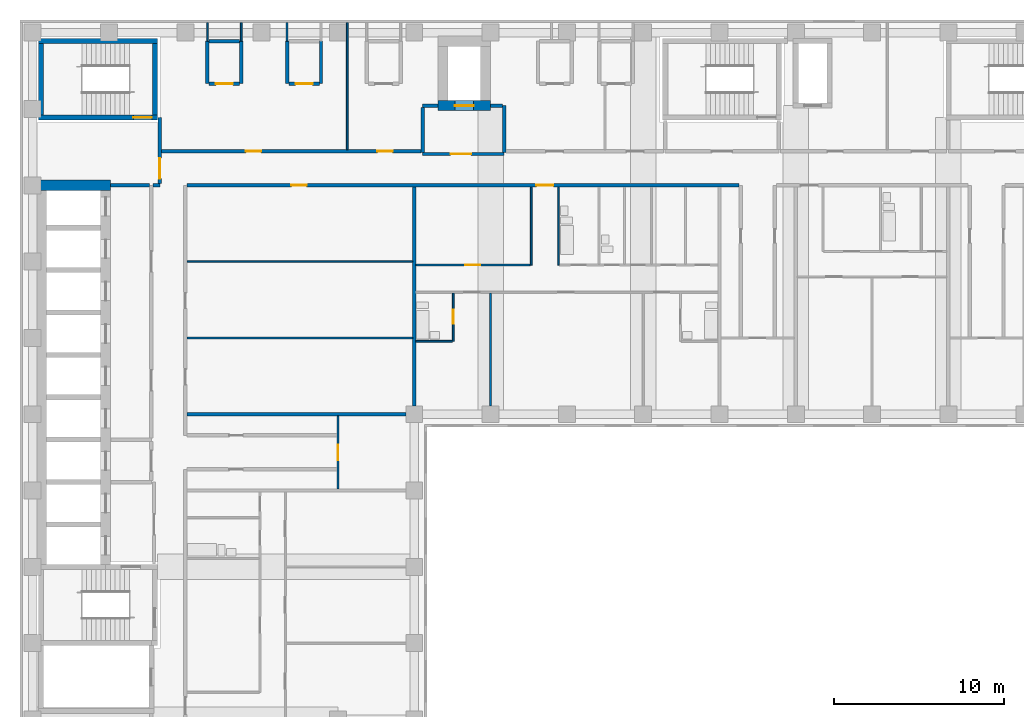
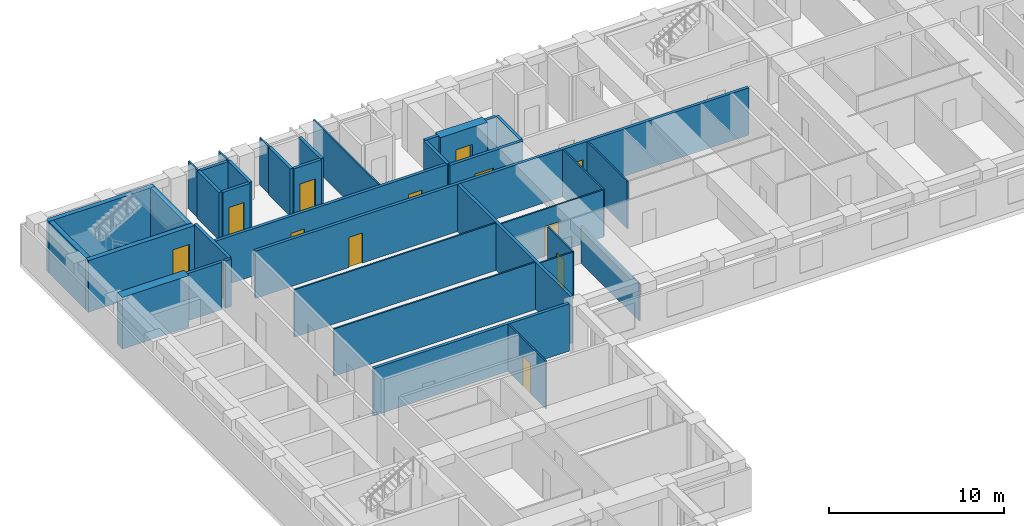
# One storey, part 5 of 12: 38 walls, 13 doors, 13 openings.
"""IFC4 building model written with IfcOpenShell, lengths in metres."""

from ifc_helpers import new_model, si_unit, direction, frame, frame_2d, origin, place, context, subcontext, project, spatial, rectangle, extrude, material, layer, layer_set, type_object, element, fill, save


model = new_model("IFC4")

# Units and contexts
model_context = context("Model", 3, precision=1e-05, world=origin(), true_north=direction((0.0, 1.0)))
body_context = subcontext(model_context, "Body", "Model", "MODEL_VIEW")
ifc_project = project(units=[si_unit("LENGTHUNIT", "METRE"), si_unit("AREAUNIT", "SQUARE_METRE"), si_unit("VOLUMEUNIT", "CUBIC_METRE"), si_unit("PLANEANGLEUNIT", "RADIAN"), si_unit("MASSUNIT", "GRAM", prefix="KILO")], contexts=[model_context])

# Site, building, storey
site_placement = place(None, origin())
site = spatial("IfcSite", under=ifc_project, at=site_placement, CompositionType="ELEMENT")
building_placement = place(site_placement, origin())
building = spatial("IfcBuilding", under=site, at=building_placement, Name="Firuza Court", CompositionType="ELEMENT")
storey_placement = place(building_placement, frame((0.0, 0.0, 166.39990234375)))
storey = spatial("IfcBuildingStorey", under=building, at=storey_placement, Name="L42", CompositionType="ELEMENT", Elevation=166.39990234375)

# Wall
ifc_material_1 = material(Name="Moisture-resistant gypsum board partition")
ifc_layer_1 = layer(ifc_material_1, 0.10009765625)
ifc_layer_set_1 = layer_set([ifc_layer_1], Name="Moisture-resistant gypsum board partition")
wall_type_1 = type_object("IfcWallType", Name="Bathroom partition 100", PredefinedType="PLUMBINGWALL", material=ifc_layer_set_1)
wall_1_placement = place(storey_placement, frame((22.60009765625, 40.300048828125, 0.0), z_axis=(0.0, 0.0, 1.0), x_axis=(1.0, 0.0, 0.0)))
element("IfcWall", 1, at=wall_1_placement, inside=storey, type_object=wall_type_1, Name="Bathroom partition 100 L42", PredefinedType="PLUMBINGWALL", context=body_context, shape_type="SweptSolid", body=[
    extrude(rectangle(XDim=2.14990234375, YDim=0.10009765625, at=frame_2d((1.074951171875, 0.0))), origin(), (0.0, 0.0, 1.0), 3.300048828125),
])

# Wall, opening, door
wall_2_placement = place(storey_placement, frame((24.800048828125, 40.300048828125, 0.0), z_axis=(0.0, 0.0, 1.0), x_axis=(0.0, 1.0, 0.0)))
wall_2 = element("IfcWall", 2, at=wall_2_placement, inside=storey, type_object=wall_type_1, Name="Bathroom partition 100 L42", PredefinedType="PLUMBINGWALL", context=body_context, shape_type="SweptSolid", body=[
    extrude(rectangle(XDim=2.849853515625, YDim=0.10009765625, at=frame_2d((1.4248046875, 0.0))), origin(), (0.0, 0.0, 1.0), 3.300048828125),
])
opening_1_placement = place(wall_2_placement, frame((1.050048828125, 0.0, 0.0)))
opening_1 = element("IfcOpeningElement", 3, at=opening_1_placement, cuts=wall_2, Name="Opening D42040", PredefinedType="OPENING", context=body_context, shape_type="SweptSolid", body=[
    extrude(rectangle(XDim=0.800048828125, YDim=2.10009765625, at=frame_2d((0.39990234375, 1.050048828125))), frame((0.0, 0.06201171875, 0.0), z_axis=(0.0, -1.0, 0.0), x_axis=(1.0, 0.0, 0.0)), (0.0, 0.0, 1.0), 0.1240234375),
])
ifc_material_2 = material(Name="Timber door leaf in hardwood frame", Category="wood")
door_type_1 = type_object("IfcDoorType", Name="Bathroom door 800", OperationType="SINGLE_SWING_LEFT", PredefinedType="DOOR", material=ifc_material_2)
door_1_placement = place(opening_1_placement, origin())
door_1 = element("IfcDoor", 4, at=door_1_placement, inside=storey, type_object=door_type_1, Name="En-suite door", OperationType="SINGLE_SWING_LEFT", OverallHeight=2.10009765625, OverallWidth=0.800048828125, PredefinedType="DOOR", context=body_context, shape_type="SweptSolid", body=[
    extrude(rectangle(XDim=0.800048828125, YDim=2.10009765625, at=frame_2d((0.39990234375, 1.050048828125))), frame((0.0, 0.02490234375, 0.0), z_axis=(0.0, -1.0, 0.0), x_axis=(1.0, 0.0, 0.0)), (0.0, 0.0, 1.0), 0.050048828125),
])
fill(opening_1, door_1)

# Wall
wall_3_placement = place(storey_placement, frame((31.0, 44.800048828125, 0.0), z_axis=(0.0, 0.0, 1.0), x_axis=(0.0, 1.0, 0.0)))
element("IfcWall", 5, at=wall_3_placement, inside=storey, type_object=wall_type_1, Name="Bathroom partition 100 L42", PredefinedType="PLUMBINGWALL", context=body_context, shape_type="SweptSolid", body=[
    extrude(rectangle(XDim=4.599853515625, YDim=0.10009765625, at=frame_2d((2.2998046875, 0.0))), origin(), (0.0, 0.0, 1.0), 3.300048828125),
])

# Wall, opening, door
ifc_material_3 = material(Name="Concrete C60/75", Category="concrete")
ifc_layer_2 = layer(ifc_material_3, 0.300048828125)
ifc_layer_set_2 = layer_set([ifc_layer_2], Name="Concrete C60/75")
wall_type_2 = type_object("IfcWallType", Name="Core wall 300 C60/75", PredefinedType="SHEAR", material=ifc_layer_set_2)
wall_4_placement = place(storey_placement, frame((0.35009765625, 53.5, -0.2998046875), z_axis=(0.0, 0.0, 1.0), x_axis=(1.0, 0.0, 0.0)))
wall_4 = element("IfcWall", 6, at=wall_4_placement, inside=storey, type_object=wall_type_2, Name="Core wall stair L42", PredefinedType="SHEAR", context=body_context, shape_type="SweptSolid", body=[
    extrude(rectangle(XDim=7.0, YDim=0.300048828125, at=frame_2d((3.5, 0.0))), origin(), (0.0, 0.0, 1.0), 3.599853515625),
])
opening_2_placement = place(wall_4_placement, frame((5.580078125, 0.0, 0.300048828125)))
opening_2 = element("IfcOpeningElement", 7, at=opening_2_placement, cuts=wall_4, Name="Opening D42015", PredefinedType="OPENING", context=body_context, shape_type="SweptSolid", body=[
    extrude(rectangle(XDim=1.10009765625, YDim=2.10009765625, at=frame_2d((0.550048828125, 1.050048828125))), frame((0.0, 0.162109375, 0.0), z_axis=(0.0, -1.0, 0.0), x_axis=(1.0, 0.0, 0.0)), (0.0, 0.0, 1.0), 0.323974609375),
])
ifc_material_4 = material(Name="Timber door leaf in hardwood frame", Category="wood")
door_type_2 = type_object("IfcDoorType", Name="Stair door 1100", OperationType="SINGLE_SWING_LEFT", PredefinedType="DOOR", material=ifc_material_4)
door_2_placement = place(opening_2_placement, origin())
door_2 = element("IfcDoor", 8, at=door_2_placement, inside=storey, type_object=door_type_2, Name="Stair door S3", OperationType="SINGLE_SWING_RIGHT", OverallHeight=2.10009765625, OverallWidth=1.10009765625, PredefinedType="DOOR", context=body_context, shape_type="SweptSolid", body=[
    extrude(rectangle(XDim=1.10009765625, YDim=2.10009765625, at=frame_2d((0.550048828125, 1.050048828125))), frame((0.0, 0.02490234375, 0.0), z_axis=(0.0, -1.0, 0.0), x_axis=(1.0, 0.0, 0.0)), (0.0, 0.0, 1.0), 0.050048828125),
])
fill(opening_2, door_2)

# Walls
wall_5_placement = place(storey_placement, frame((0.35009765625, 58.0, -0.2998046875), z_axis=(0.0, 0.0, 1.0), x_axis=(1.0, 0.0, 0.0)))
element("IfcWall", 9, at=wall_5_placement, inside=storey, type_object=wall_type_2, Name="Core wall stair L42", PredefinedType="SHEAR", context=body_context, shape_type="SweptSolid", body=[
    extrude(rectangle(XDim=7.0, YDim=0.300048828125, at=frame_2d((3.5, 0.0))), origin(), (0.0, 0.0, 1.0), 3.599853515625),
])
for number, where, z_axis, x_axis, name in (
    (10, (0.5, 53.64990234375, -0.2998046875), (0.0, 0.0, 1.0), (0.0, 1.0, 0.0), "Core wall stair L42"),
    (11, (7.199951171875, 53.64990234375, -0.2998046875), (0.0, 0.0, 1.0), (0.0, 1.0, 0.0), "Core wall stair L42"),
):
    element("IfcWall", number, at=place(storey_placement, frame(where, z_axis=z_axis, x_axis=x_axis)), inside=storey, type_object=wall_type_2, Name=name, PredefinedType="SHEAR", context=body_context, shape_type="SweptSolid", body=[
        extrude(rectangle(XDim=4.2001953125, YDim=0.300048828125, at=frame_2d((2.10009765625, 0.0))), origin(), (0.0, 0.0, 1.0), 3.599853515625),
    ])
ifc_layer_3 = layer(ifc_material_3, 0.60009765625)
ifc_layer_set_3 = layer_set([ifc_layer_3], Name="Concrete C60/75")
wall_type_3 = type_object("IfcWallType", Name="Core wall 600 C60/75", PredefinedType="SHEAR", material=ifc_layer_set_3)
wall_6_placement = place(storey_placement, frame((0.199951171875, 49.5, -0.2998046875), z_axis=(0.0, 0.0, 1.0), x_axis=(1.0, 0.0, 0.0)))
element("IfcWall", 12, at=wall_6_placement, inside=storey, type_object=wall_type_3, Name="Core wall lift shaft L42", PredefinedType="SHEAR", context=body_context, shape_type="SweptSolid", body=[
    extrude(rectangle(XDim=4.400146484375, YDim=0.60009765625, at=frame_2d((2.2001953125, 0.0))), origin(), (0.0, 0.0, 1.0), 3.599853515625),
])

# Wall, opening, door
wall_7_placement = place(storey_placement, frame((23.89990234375, 54.199951171875, -0.2998046875), z_axis=(0.0, 0.0, 1.0), x_axis=(1.0, 0.0, 0.0)))
wall_7 = element("IfcWall", 13, at=wall_7_placement, inside=storey, type_object=wall_type_3, Name="Core wall lift shaft L42", PredefinedType="SHEAR", context=body_context, shape_type="SweptSolid", body=[
    extrude(rectangle(XDim=3.10009765625, YDim=0.60009765625, at=frame_2d((1.550048828125, 0.0))), origin(), (0.0, 0.0, 1.0), 3.599853515625),
])
opening_3_placement = place(wall_7_placement, frame((1.0, 0.0, 0.300048828125)))
opening_3 = element("IfcOpeningElement", 14, at=opening_3_placement, cuts=wall_7, Name="Opening LD-FL3-42", PredefinedType="OPENING", context=body_context, shape_type="SweptSolid", body=[
    extrude(rectangle(XDim=1.10009765625, YDim=2.10009765625, at=frame_2d((0.550048828125, 1.050048828125))), frame((0.0, 0.31201171875, 0.0), z_axis=(0.0, -1.0, 0.0), x_axis=(1.0, 0.0, 0.0)), (0.0, 0.0, 1.0), 0.6240234375),
])
ifc_material_5 = material(Name="Stainless steel 1.4301 door leaf", Category="steel")
door_type_3 = type_object("IfcDoorType", Name="Lift landing door 1100", OperationType="SLIDING_TO_LEFT", PredefinedType="DOOR", material=ifc_material_5)
door_3_placement = place(opening_3_placement, origin())
door_3 = element("IfcDoor", 15, at=door_3_placement, inside=storey, type_object=door_type_3, Name="Landing door FL3", OperationType="SLIDING_TO_LEFT", OverallHeight=2.10009765625, OverallWidth=1.10009765625, PredefinedType="DOOR", context=body_context, shape_type="SweptSolid", body=[
    extrude(rectangle(XDim=1.10009765625, YDim=2.10009765625, at=frame_2d((0.550048828125, 1.050048828125))), frame((0.0, 0.02490234375, 0.0), z_axis=(0.0, -1.0, 0.0), x_axis=(1.0, 0.0, 0.0)), (0.0, 0.0, 1.0), 0.050048828125),
])
fill(opening_3, door_3)

# Wall, openings, doors
ifc_material_6 = material(Name="Blockwork, plastered both sides", Category="masonry")
ifc_layer_4 = layer(ifc_material_6, 0.199951171875)
ifc_layer_set_4 = layer_set([ifc_layer_4], Name="Blockwork, plastered both sides")
wall_type_4 = type_object("IfcWallType", Name="Corridor wall 200", PredefinedType="PARTITIONING", material=ifc_layer_set_4)
wall_8_placement = place(storey_placement, frame((9.10009765625, 49.5, 0.0), z_axis=(0.0, 0.0, 1.0), x_axis=(1.0, 0.0, 0.0)))
wall_8 = element("IfcWall", 16, at=wall_8_placement, inside=storey, type_object=wall_type_4, Name="Corridor wall 200 L42", PredefinedType="PARTITIONING", context=body_context, shape_type="SweptSolid", body=[
    extrude(rectangle(XDim=32.5498046875, YDim=0.199951171875, at=frame_2d((16.27490234375, 0.0))), origin(), (0.0, 0.0, 1.0), 3.300048828125),
])
opening_4_placement = place(wall_8_placement, frame((20.60009765625, 0.0, 0.0)))
opening_4 = element("IfcOpeningElement", 17, at=opening_4_placement, cuts=wall_8, Name="Opening D42067", PredefinedType="OPENING", context=body_context, shape_type="SweptSolid", body=[
    extrude(rectangle(XDim=1.0, YDim=2.10009765625, at=frame_2d((0.5, 1.050048828125))), frame((0.0, 0.11181640625, 0.0), z_axis=(0.0, -1.0, 0.0), x_axis=(1.0, 0.0, 0.0)), (0.0, 0.0, 1.0), 0.223876953125),
])
opening_5_placement = place(wall_8_placement, frame((6.14990234375, 0.0, 0.0)))
opening_5 = element("IfcOpeningElement", 18, at=opening_5_placement, cuts=wall_8, Name="Opening D42068", PredefinedType="OPENING", context=body_context, shape_type="SweptSolid", body=[
    extrude(rectangle(XDim=0.89990234375, YDim=2.10009765625, at=frame_2d((0.449951171875, 1.050048828125))), frame((0.0, 0.11181640625, 0.0), z_axis=(0.0, -1.0, 0.0), x_axis=(1.0, 0.0, 0.0)), (0.0, 0.0, 1.0), 0.223876953125),
])
ifc_material_7 = material(Name="Timber door leaf in hardwood frame", Category="wood")
door_type_4 = type_object("IfcDoorType", Name="Flat entrance door 1000", OperationType="SINGLE_SWING_LEFT", PredefinedType="DOOR", material=ifc_material_7)
door_4_placement = place(opening_4_placement, origin())
door_4 = element("IfcDoor", 19, at=door_4_placement, inside=storey, type_object=door_type_4, Name="Flat entrance door", OperationType="SINGLE_SWING_LEFT", OverallHeight=2.10009765625, OverallWidth=1.0, PredefinedType="DOOR", context=body_context, shape_type="SweptSolid", body=[
    extrude(rectangle(XDim=1.0, YDim=2.10009765625, at=frame_2d((0.5, 1.050048828125))), frame((0.0, 0.02490234375, 0.0), z_axis=(0.0, -1.0, 0.0), x_axis=(1.0, 0.0, 0.0)), (0.0, 0.0, 1.0), 0.050048828125),
])
fill(opening_4, door_4)
ifc_material_8 = material(Name="Timber door leaf in hardwood frame", Category="wood")
door_type_5 = type_object("IfcDoorType", Name="Room door 900 EI 30", OperationType="SINGLE_SWING_LEFT", PredefinedType="DOOR", material=ifc_material_8)
door_5_placement = place(opening_5_placement, frame((0.89990234375, 0.0, 0.0), z_axis=(0.0, 0.0, 1.0), x_axis=(-1.0, 0.0, 0.0)))
door_5 = element("IfcDoor", 20, at=door_5_placement, inside=storey, type_object=door_type_5, Name="Business room door", OperationType="SINGLE_SWING_RIGHT", OverallHeight=2.10009765625, OverallWidth=0.89990234375, PredefinedType="DOOR", context=body_context, shape_type="SweptSolid", body=[
    extrude(rectangle(XDim=0.89990234375, YDim=2.10009765625, at=frame_2d((0.449951171875, 1.050048828125))), frame((0.0, 0.02490234375, 0.0), z_axis=(0.0, -1.0, 0.0), x_axis=(1.0, 0.0, 0.0)), (0.0, 0.0, 1.0), 0.050048828125),
])
fill(opening_5, door_5)

wall_9_placement = place(storey_placement, frame((7.60009765625, 51.5, 0.0), z_axis=(0.0, 0.0, 1.0), x_axis=(1.0, 0.0, 0.0)))
wall_9 = element("IfcWall", 21, at=wall_9_placement, inside=storey, type_object=wall_type_4, Name="Corridor wall 200 L42", PredefinedType="PARTITIONING", context=body_context, shape_type="SweptSolid", body=[
    extrude(rectangle(XDim=15.2998046875, YDim=0.199951171875, at=frame_2d((7.64990234375, 0.0))), origin(), (0.0, 0.0, 1.0), 3.300048828125),
])
opening_6_placement = place(wall_9_placement, frame((4.97509765625, 0.0, 0.0)))
opening_6 = element("IfcOpeningElement", 22, at=opening_6_placement, cuts=wall_9, Name="Opening D42071", PredefinedType="OPENING", context=body_context, shape_type="SweptSolid", body=[
    extrude(rectangle(XDim=0.89990234375, YDim=2.10009765625, at=frame_2d((0.449951171875, 1.050048828125))), frame((0.0, 0.11181640625, 0.0), z_axis=(0.0, -1.0, 0.0), x_axis=(1.0, 0.0, 0.0)), (0.0, 0.0, 1.0), 0.223876953125),
])
opening_7_placement = place(wall_9_placement, frame((12.72509765625, 0.0, 0.0)))
opening_7 = element("IfcOpeningElement", 23, at=opening_7_placement, cuts=wall_9, Name="Opening D42072", PredefinedType="OPENING", context=body_context, shape_type="SweptSolid", body=[
    extrude(rectangle(XDim=0.89990234375, YDim=2.10009765625, at=frame_2d((0.449951171875, 1.050048828125))), frame((0.0, 0.11181640625, 0.0), z_axis=(0.0, -1.0, 0.0), x_axis=(1.0, 0.0, 0.0)), (0.0, 0.0, 1.0), 0.223876953125),
])
door_6_placement = place(opening_6_placement, origin())
door_6 = element("IfcDoor", 24, at=door_6_placement, inside=storey, type_object=door_type_5, Name="Residents' workroom door", OperationType="SINGLE_SWING_LEFT", OverallHeight=2.10009765625, OverallWidth=0.89990234375, PredefinedType="DOOR", context=body_context, shape_type="SweptSolid", body=[
    extrude(rectangle(XDim=0.89990234375, YDim=2.10009765625, at=frame_2d((0.449951171875, 1.050048828125))), frame((0.0, 0.02490234375, 0.0), z_axis=(0.0, -1.0, 0.0), x_axis=(1.0, 0.0, 0.0)), (0.0, 0.0, 1.0), 0.050048828125),
])
fill(opening_6, door_6)
door_7_placement = place(opening_7_placement, origin())
door_7 = element("IfcDoor", 25, at=door_7_placement, inside=storey, type_object=door_type_5, Name="Residents' workroom door", OperationType="SINGLE_SWING_LEFT", OverallHeight=2.10009765625, OverallWidth=0.89990234375, PredefinedType="DOOR", context=body_context, shape_type="SweptSolid", body=[
    extrude(rectangle(XDim=0.89990234375, YDim=2.10009765625, at=frame_2d((0.449951171875, 1.050048828125))), frame((0.0, 0.02490234375, 0.0), z_axis=(0.0, -1.0, 0.0), x_axis=(1.0, 0.0, 0.0)), (0.0, 0.0, 1.0), 0.050048828125),
])
fill(opening_7, door_7)

# Wall, opening, door
ifc_material_9 = material(Name="Timber stud partition, plasterboard both sides", Category="wood")
ifc_layer_5 = layer(ifc_material_9, 0.10009765625)
ifc_layer_set_5 = layer_set([ifc_layer_5], Name="Timber stud partition, plasterboard both sides")
wall_type_5 = type_object("IfcWallType", Name="Partition wall 100", PredefinedType="PARTITIONING", material=ifc_layer_set_5)
wall_10_placement = place(storey_placement, frame((18.0, 31.60009765625, 0.0), z_axis=(0.0, 0.0, 1.0), x_axis=(0.0, 1.0, 0.0)))
wall_10 = element("IfcWall", 26, at=wall_10_placement, inside=storey, type_object=wall_type_5, Name="Partition wall 100 L42", PredefinedType="PARTITIONING", context=body_context, shape_type="SweptSolid", body=[
    extrude(rectangle(XDim=4.2998046875, YDim=0.10009765625, at=frame_2d((2.14990234375, 0.0))), origin(), (0.0, 0.0, 1.0), 3.300048828125),
])
opening_8_placement = place(wall_10_placement, frame((1.699951171875, 0.0, 0.0)))
opening_8 = element("IfcOpeningElement", 27, at=opening_8_placement, cuts=wall_10, Name="Opening D42035", PredefinedType="OPENING", context=body_context, shape_type="SweptSolid", body=[
    extrude(rectangle(XDim=0.89990234375, YDim=2.10009765625, at=frame_2d((0.449951171875, 1.050048828125))), frame((0.0, 0.06201171875, 0.0), z_axis=(0.0, -1.0, 0.0), x_axis=(1.0, 0.0, 0.0)), (0.0, 0.0, 1.0), 0.1240234375),
])
ifc_material_10 = material(Name="Timber door leaf in hardwood frame", Category="wood")
door_type_6 = type_object("IfcDoorType", Name="Room door 900", OperationType="SINGLE_SWING_LEFT", PredefinedType="DOOR", material=ifc_material_10)
door_8_placement = place(opening_8_placement, origin())
door_8 = element("IfcDoor", 28, at=door_8_placement, inside=storey, type_object=door_type_6, Name="Residents' lounge door", OperationType="SINGLE_SWING_LEFT", OverallHeight=2.10009765625, OverallWidth=0.89990234375, PredefinedType="DOOR", context=body_context, shape_type="SweptSolid", body=[
    extrude(rectangle(XDim=0.89990234375, YDim=2.10009765625, at=frame_2d((0.449951171875, 1.050048828125))), frame((0.0, 0.02490234375, 0.0), z_axis=(0.0, -1.0, 0.0), x_axis=(1.0, 0.0, 0.0)), (0.0, 0.0, 1.0), 0.050048828125),
])
fill(opening_8, door_8)

# Walls
wall_11_placement = place(storey_placement, frame((27.0, 36.5, 0.0), z_axis=(0.0, 0.0, 1.0), x_axis=(0.0, 1.0, 0.0)))
element("IfcWall", 29, at=wall_11_placement, inside=storey, type_object=wall_type_5, Name="Partition wall 100 L42", PredefinedType="PARTITIONING", context=body_context, shape_type="SweptSolid", body=[
    extrude(rectangle(XDim=6.64990234375, YDim=0.10009765625, at=frame_2d((3.324951171875, 0.0))), origin(), (0.0, 0.0, 1.0), 2.60009765625),
])
wall_12_placement = place(storey_placement, frame((9.10009765625, 40.5, 0.0), z_axis=(0.0, 0.0, 1.0), x_axis=(1.0, 0.0, 0.0)))
element("IfcWall", 30, at=wall_12_placement, inside=storey, type_object=wall_type_5, Name="Partition wall 100 L42", PredefinedType="PARTITIONING", context=body_context, shape_type="SweptSolid", body=[
    extrude(rectangle(XDim=13.2998046875, YDim=0.10009765625, at=frame_2d((6.64990234375, 0.0))), origin(), (0.0, 0.0, 1.0), 3.300048828125),
])

# Wall, opening, door
wall_13_placement = place(storey_placement, frame((22.60009765625, 44.800048828125, 0.0), z_axis=(0.0, 0.0, 1.0), x_axis=(1.0, 0.0, 0.0)))
wall_13 = element("IfcWall", 31, at=wall_13_placement, inside=storey, type_object=wall_type_5, Name="Partition wall 100 L42", PredefinedType="PARTITIONING", context=body_context, shape_type="SweptSolid", body=[
    extrude(rectangle(XDim=6.75, YDim=0.10009765625, at=frame_2d((3.375, 0.0))), origin(), (0.0, 0.0, 1.0), 3.300048828125),
])
opening_9_placement = place(wall_13_placement, frame((2.89990234375, 0.0, 0.0)))
opening_9 = element("IfcOpeningElement", 32, at=opening_9_placement, cuts=wall_13, Name="Opening D42055", PredefinedType="OPENING", context=body_context, shape_type="SweptSolid", body=[
    extrude(rectangle(XDim=0.89990234375, YDim=2.10009765625, at=frame_2d((0.449951171875, 1.050048828125))), frame((0.0, 0.06201171875, 0.0), z_axis=(0.0, -1.0, 0.0), x_axis=(1.0, 0.0, 0.0)), (0.0, 0.0, 1.0), 0.1240234375),
])
door_9_placement = place(opening_9_placement, origin())
door_9 = element("IfcDoor", 33, at=door_9_placement, inside=storey, type_object=door_type_6, Name="Kitchen door", OperationType="SINGLE_SWING_LEFT", OverallHeight=2.10009765625, OverallWidth=0.89990234375, PredefinedType="DOOR", context=body_context, shape_type="SweptSolid", body=[
    extrude(rectangle(XDim=0.89990234375, YDim=2.10009765625, at=frame_2d((0.449951171875, 1.050048828125))), frame((0.0, 0.02490234375, 0.0), z_axis=(0.0, -1.0, 0.0), x_axis=(1.0, 0.0, 0.0)), (0.0, 0.0, 1.0), 0.050048828125),
])
fill(opening_9, door_9)

# Walls
wall_14_placement = place(storey_placement, frame((29.39990234375, 44.800048828125, 0.0), z_axis=(0.0, 0.0, 1.0), x_axis=(0.0, 1.0, 0.0)))
element("IfcWall", 34, at=wall_14_placement, inside=storey, type_object=wall_type_5, Name="Partition wall 100 L42", PredefinedType="PARTITIONING", context=body_context, shape_type="SweptSolid", body=[
    extrude(rectangle(XDim=4.599853515625, YDim=0.10009765625, at=frame_2d((2.2998046875, 0.0))), origin(), (0.0, 0.0, 1.0), 3.300048828125),
])
wall_15_placement = place(storey_placement, frame((9.10009765625, 45.0, 0.0), z_axis=(0.0, 0.0, 1.0), x_axis=(1.0, 0.0, 0.0)))
element("IfcWall", 35, at=wall_15_placement, inside=storey, type_object=wall_type_5, Name="Partition wall 100 L42", PredefinedType="PARTITIONING", context=body_context, shape_type="SweptSolid", body=[
    extrude(rectangle(XDim=13.2998046875, YDim=0.10009765625, at=frame_2d((6.64990234375, 0.0))), origin(), (0.0, 0.0, 1.0), 3.300048828125),
])
wall_16_placement = place(storey_placement, frame((18.550048828125, 51.60009765625, 0.0), z_axis=(0.0, 0.0, 1.0), x_axis=(0.0, 1.0, 0.0)))
element("IfcWall", 36, at=wall_16_placement, inside=storey, type_object=wall_type_5, Name="Partition wall 100 L42", PredefinedType="PARTITIONING", context=body_context, shape_type="SweptSolid", body=[
    extrude(rectangle(XDim=7.5, YDim=0.10009765625, at=frame_2d((3.75, 0.0))), origin(), (0.0, 0.0, 1.0), 3.300048828125),
])
for number, where, z_axis, x_axis, name in (
    (37, (10.300048828125, 58.0, 0.0), (0.0, 0.0, 1.0), (0.0, 1.0, 0.0), "Partition wall 100 L42"),
    (38, (12.300048828125, 58.0, 0.0), (0.0, 0.0, 1.0), (0.0, 1.0, 0.0), "Partition wall 100 L42"),
    (39, (15.0, 58.0, 0.0), (0.0, 0.0, 1.0), (0.0, 1.0, 0.0), "Partition wall 100 L42"),
):
    element("IfcWall", number, at=place(storey_placement, frame(where, z_axis=z_axis, x_axis=x_axis)), inside=storey, type_object=wall_type_5, Name=name, PredefinedType="PARTITIONING", context=body_context, shape_type="SweptSolid", body=[
        extrude(rectangle(XDim=1.10009765625, YDim=0.10009765625, at=frame_2d((0.550048828125, 0.0))), origin(), (0.0, 0.0, 1.0), 3.300048828125),
    ])
ifc_layer_6 = layer(ifc_material_6, 0.199951171875)
ifc_layer_set_6 = layer_set([ifc_layer_6], Name="Blockwork, plastered both sides")
wall_type_6 = type_object("IfcWallType", Name="Party wall 200", PredefinedType="PARTITIONING", material=ifc_layer_set_6)
for number, where, z_axis, x_axis, name in (
    (40, (9.10009765625, 36.0, 0.0), (0.0, 0.0, 1.0), (1.0, 0.0, 0.0), "Party wall 200 L42"),
    (41, (22.5, 36.5, 0.0), (0.0, 0.0, 1.0), (0.0, 1.0, 0.0), "Party wall 200 L42"),
):
    element("IfcWall", number, at=place(storey_placement, frame(where, z_axis=z_axis, x_axis=x_axis)), inside=storey, type_object=wall_type_6, Name=name, PredefinedType="PARTITIONING", context=body_context, shape_type="SweptSolid", body=[
        extrude(rectangle(XDim=12.89990234375, YDim=0.199951171875, at=frame_2d((6.449951171875, 0.0))), origin(), (0.0, 0.0, 1.0), 3.300048828125),
    ])
ifc_material_11 = material(Name="Blockwork, fire-rated", Category="masonry")
ifc_layer_7 = layer(ifc_material_11, 0.199951171875)
ifc_layer_set_7 = layer_set([ifc_layer_7], Name="Blockwork, fire-rated")
wall_type_7 = type_object("IfcWallType", Name="Plant room wall 200", PredefinedType="PARTITIONING", material=ifc_layer_set_7)
wall_17_placement = place(storey_placement, frame((10.300048828125, 55.5, 0.0), z_axis=(0.0, 0.0, 1.0), x_axis=(0.0, 1.0, 0.0)))
element("IfcWall", 42, at=wall_17_placement, inside=storey, type_object=wall_type_7, Name="Plant room wall 200 L42", PredefinedType="PARTITIONING", context=body_context, shape_type="SweptSolid", body=[
    extrude(rectangle(XDim=2.5, YDim=0.199951171875, at=frame_2d((1.25, 0.0))), origin(), (0.0, 0.0, 1.0), 3.300048828125),
])

# Wall, opening, door
wall_18_placement = place(storey_placement, frame((10.39990234375, 55.5, 0.0), z_axis=(0.0, 0.0, 1.0), x_axis=(1.0, 0.0, 0.0)))
wall_18 = element("IfcWall", 43, at=wall_18_placement, inside=storey, type_object=wall_type_7, Name="Plant room wall 200 L42", PredefinedType="PARTITIONING", context=body_context, shape_type="SweptSolid", body=[
    extrude(rectangle(XDim=1.800048828125, YDim=0.199951171875, at=frame_2d((0.89990234375, 0.0))), origin(), (0.0, 0.0, 1.0), 3.300048828125),
])
opening_10_placement = place(wall_18_placement, frame((0.39990234375, 0.0, 0.0)))
opening_10 = element("IfcOpeningElement", 44, at=opening_10_placement, cuts=wall_18, Name="Opening D42078", PredefinedType="OPENING", context=body_context, shape_type="SweptSolid", body=[
    extrude(rectangle(XDim=1.0, YDim=2.10009765625, at=frame_2d((0.5, 1.050048828125))), frame((0.0, 0.11181640625, 0.0), z_axis=(0.0, -1.0, 0.0), x_axis=(1.0, 0.0, 0.0)), (0.0, 0.0, 1.0), 0.223876953125),
])
ifc_material_12 = material(Name="Timber door leaf in hardwood frame", Category="wood")
door_type_7 = type_object("IfcDoorType", Name="Riser door 1000", OperationType="SINGLE_SWING_LEFT", PredefinedType="DOOR", material=ifc_material_12)
door_10_placement = place(opening_10_placement, origin())
door_10 = element("IfcDoor", 45, at=door_10_placement, inside=storey, type_object=door_type_7, Name="Comms riser door", OperationType="SINGLE_SWING_LEFT", OverallHeight=2.10009765625, OverallWidth=1.0, PredefinedType="DOOR", context=body_context, shape_type="SweptSolid", body=[
    extrude(rectangle(XDim=1.0, YDim=2.10009765625, at=frame_2d((0.5, 1.050048828125))), frame((0.0, 0.02490234375, 0.0), z_axis=(0.0, -1.0, 0.0), x_axis=(1.0, 0.0, 0.0)), (0.0, 0.0, 1.0), 0.050048828125),
])
fill(opening_10, door_10)

# Walls
for number, where, z_axis, x_axis, name in (
    (46, (12.300048828125, 55.5, 0.0), (0.0, 0.0, 1.0), (0.0, 1.0, 0.0), "Plant room wall 200 L42"),
    (47, (15.0, 55.5, 0.0), (0.0, 0.0, 1.0), (0.0, 1.0, 0.0), "Plant room wall 200 L42"),
):
    element("IfcWall", number, at=place(storey_placement, frame(where, z_axis=z_axis, x_axis=x_axis)), inside=storey, type_object=wall_type_7, Name=name, PredefinedType="PARTITIONING", context=body_context, shape_type="SweptSolid", body=[
        extrude(rectangle(XDim=2.5, YDim=0.199951171875, at=frame_2d((1.25, 0.0))), origin(), (0.0, 0.0, 1.0), 3.300048828125),
    ])

# Wall, opening, door
wall_19_placement = place(storey_placement, frame((15.10009765625, 55.5, 0.0), z_axis=(0.0, 0.0, 1.0), x_axis=(1.0, 0.0, 0.0)))
wall_19 = element("IfcWall", 48, at=wall_19_placement, inside=storey, type_object=wall_type_7, Name="Plant room wall 200 L42", PredefinedType="PARTITIONING", context=body_context, shape_type="SweptSolid", body=[
    extrude(rectangle(XDim=1.7998046875, YDim=0.199951171875, at=frame_2d((0.89990234375, 0.0))), origin(), (0.0, 0.0, 1.0), 3.300048828125),
])
opening_11_placement = place(wall_19_placement, frame((0.39990234375, 0.0, 0.0)))
opening_11 = element("IfcOpeningElement", 49, at=opening_11_placement, cuts=wall_19, Name="Opening D42079", PredefinedType="OPENING", context=body_context, shape_type="SweptSolid", body=[
    extrude(rectangle(XDim=1.0, YDim=2.10009765625, at=frame_2d((0.5, 1.050048828125))), frame((0.0, 0.11181640625, 0.0), z_axis=(0.0, -1.0, 0.0), x_axis=(1.0, 0.0, 0.0)), (0.0, 0.0, 1.0), 0.223876953125),
])
door_11_placement = place(opening_11_placement, origin())
door_11 = element("IfcDoor", 50, at=door_11_placement, inside=storey, type_object=door_type_7, Name="Electrical riser door", OperationType="SINGLE_SWING_LEFT", OverallHeight=2.10009765625, OverallWidth=1.0, PredefinedType="DOOR", context=body_context, shape_type="SweptSolid", body=[
    extrude(rectangle(XDim=1.0, YDim=2.10009765625, at=frame_2d((0.5, 1.050048828125))), frame((0.0, 0.02490234375, 0.0), z_axis=(0.0, -1.0, 0.0), x_axis=(1.0, 0.0, 0.0)), (0.0, 0.0, 1.0), 0.050048828125),
])
fill(opening_11, door_11)

# Walls
wall_20_placement = place(storey_placement, frame((17.0, 55.5, 0.0), z_axis=(0.0, 0.0, 1.0), x_axis=(0.0, 1.0, 0.0)))
element("IfcWall", 51, at=wall_20_placement, inside=storey, type_object=wall_type_7, Name="Plant room wall 200 L42", PredefinedType="PARTITIONING", context=body_context, shape_type="SweptSolid", body=[
    extrude(rectangle(XDim=2.5, YDim=0.199951171875, at=frame_2d((1.25, 0.0))), origin(), (0.0, 0.0, 1.0), 3.300048828125),
])
wall_21_placement = place(storey_placement, frame((10.39990234375, 58.0, 0.0), z_axis=(0.0, 0.0, 1.0), x_axis=(1.0, 0.0, 0.0)))
element("IfcWall", 52, at=wall_21_placement, inside=storey, type_object=wall_type_7, Name="Plant room wall 200 L42", PredefinedType="PARTITIONING", context=body_context, shape_type="SweptSolid", body=[
    extrude(rectangle(XDim=1.800048828125, YDim=0.199951171875, at=frame_2d((0.89990234375, 0.0))), origin(), (0.0, 0.0, 1.0), 3.300048828125),
])
ifc_layer_8 = layer(ifc_material_11, 0.199951171875)
ifc_layer_set_8 = layer_set([ifc_layer_8], Name="Blockwork, fire-rated")
wall_type_8 = type_object("IfcWallType", Name="Shaft wall 200", PredefinedType="PARTITIONING", material=ifc_layer_set_8)
wall_22_placement = place(storey_placement, frame((4.60009765625, 49.5, 0.0), z_axis=(0.0, 0.0, 1.0), x_axis=(1.0, 0.0, 0.0)))
element("IfcWall", 53, at=wall_22_placement, inside=storey, type_object=wall_type_8, Name="Shaft wall 200 L42", PredefinedType="PARTITIONING", context=body_context, shape_type="SweptSolid", body=[
    extrude(rectangle(XDim=2.2998046875, YDim=0.199951171875, at=frame_2d((1.14990234375, 0.0))), origin(), (0.0, 0.0, 1.0), 3.300048828125),
])

# Wall, opening, door
wall_23_placement = place(storey_placement, frame((23.0, 51.35009765625, 0.0), z_axis=(0.0, 0.0, 1.0), x_axis=(1.0, 0.0, 0.0)))
wall_23 = element("IfcWall", 54, at=wall_23_placement, inside=storey, type_object=wall_type_8, Name="Shaft wall 200 L42", PredefinedType="PARTITIONING", context=body_context, shape_type="SweptSolid", body=[
    extrude(rectangle(XDim=4.800048828125, YDim=0.199951171875, at=frame_2d((2.39990234375, 0.0))), origin(), (0.0, 0.0, 1.0), 3.300048828125),
])
opening_12_placement = place(wall_23_placement, frame((1.64990234375, 0.0, 0.0)))
opening_12 = element("IfcOpeningElement", 55, at=opening_12_placement, cuts=wall_23, Name="Opening D42003", PredefinedType="OPENING", context=body_context, shape_type="SweptSolid", body=[
    extrude(rectangle(XDim=1.199951171875, YDim=2.10009765625, at=frame_2d((0.60009765625, 1.050048828125))), frame((0.0, 0.11181640625, 0.0), z_axis=(0.0, -1.0, 0.0), x_axis=(1.0, 0.0, 0.0)), (0.0, 0.0, 1.0), 0.223876953125),
])
ifc_material_13 = material(Name="Timber door leaf in hardwood frame", Category="wood")
door_type_8 = type_object("IfcDoorType", Name="Lobby door 1200", OperationType="SINGLE_SWING_LEFT", PredefinedType="DOOR", material=ifc_material_13)
door_12_placement = place(opening_12_placement, origin())
door_12 = element("IfcDoor", 56, at=door_12_placement, inside=storey, type_object=door_type_8, Name="Fire-fighting lobby door", OperationType="SINGLE_SWING_LEFT", OverallHeight=2.10009765625, OverallWidth=1.199951171875, PredefinedType="DOOR", context=body_context, shape_type="SweptSolid", body=[
    extrude(rectangle(XDim=1.199951171875, YDim=2.10009765625, at=frame_2d((0.60009765625, 1.050048828125))), frame((0.0, 0.02490234375, 0.0), z_axis=(0.0, -1.0, 0.0), x_axis=(1.0, 0.0, 0.0)), (0.0, 0.0, 1.0), 0.050048828125),
])
fill(opening_12, door_12)

# Walls
wall_24_placement = place(storey_placement, frame((27.800048828125, 51.449951171875, 0.0), z_axis=(0.0, 0.0, 1.0), x_axis=(0.0, 1.0, 0.0)))
element("IfcWall", 57, at=wall_24_placement, inside=storey, type_object=wall_type_8, Name="Shaft wall 200 L42", PredefinedType="PARTITIONING", context=body_context, shape_type="SweptSolid", body=[
    extrude(rectangle(XDim=2.75, YDim=0.199951171875, at=frame_2d((1.375, 0.0))), origin(), (0.0, 0.0, 1.0), 3.300048828125),
])
wall_25_placement = place(storey_placement, frame((23.0, 54.199951171875, 0.0), z_axis=(0.0, 0.0, 1.0), x_axis=(1.0, 0.0, 0.0)))
element("IfcWall", 58, at=wall_25_placement, inside=storey, type_object=wall_type_8, Name="Shaft wall 200 L42", PredefinedType="PARTITIONING", context=body_context, shape_type="SweptSolid", body=[
    extrude(rectangle(XDim=0.89990234375, YDim=0.199951171875, at=frame_2d((0.449951171875, 0.0))), origin(), (0.0, 0.0, 1.0), 3.300048828125),
])
wall_26_placement = place(storey_placement, frame((27.0, 54.199951171875, 0.0), z_axis=(0.0, 0.0, 1.0), x_axis=(1.0, 0.0, 0.0)))
element("IfcWall", 59, at=wall_26_placement, inside=storey, type_object=wall_type_8, Name="Shaft wall 200 L42", PredefinedType="PARTITIONING", context=body_context, shape_type="SweptSolid", body=[
    extrude(rectangle(XDim=0.699951171875, YDim=0.199951171875, at=frame_2d((0.35009765625, 0.0))), origin(), (0.0, 0.0, 1.0), 3.300048828125),
])
wall_27_placement = place(storey_placement, frame((23.0, 51.449951171875, 0.0), z_axis=(0.0, 0.0, 1.0), x_axis=(0.0, 1.0, 0.0)))
element("IfcWall", 60, at=wall_27_placement, inside=storey, type_object=wall_type_8, Name="Shaft wall 200 L42", PredefinedType="PARTITIONING", context=body_context, shape_type="SweptSolid", body=[
    extrude(rectangle(XDim=2.650146484375, YDim=0.199951171875, at=frame_2d((1.3251953125, 0.0))), origin(), (0.0, 0.0, 1.0), 3.300048828125),
])
wall_28_placement = place(storey_placement, frame((7.10009765625, 49.5, 0.0), z_axis=(0.0, 0.0, 1.0), x_axis=(1.0, 0.0, 0.0)))
element("IfcWall", 61, at=wall_28_placement, inside=storey, type_object=wall_type_8, Name="Shaft wall 200 L42", PredefinedType="PARTITIONING", context=body_context, shape_type="SweptSolid", body=[
    extrude(rectangle(XDim=0.39990234375, YDim=0.199951171875, at=frame_2d((0.199951171875, 0.0))), origin(), (0.0, 0.0, 1.0), 3.300048828125),
])

# Wall, opening, door
wall_29_placement = place(storey_placement, frame((7.5, 49.60009765625, 0.0), z_axis=(0.0, 0.0, 1.0), x_axis=(0.0, 1.0, 0.0)))
wall_29 = element("IfcWall", 62, at=wall_29_placement, inside=storey, type_object=wall_type_8, Name="Shaft wall 200 L42", PredefinedType="PARTITIONING", context=body_context, shape_type="SweptSolid", body=[
    extrude(rectangle(XDim=3.89990234375, YDim=0.199951171875, at=frame_2d((1.949951171875, 0.0))), origin(), (0.0, 0.0, 1.0), 3.300048828125),
])
opening_13_placement = place(wall_29_placement, frame((0.300048828125, 0.0, 0.0)))
opening_13 = element("IfcOpeningElement", 63, at=opening_13_placement, cuts=wall_29, Name="Opening D42001", PredefinedType="OPENING", context=body_context, shape_type="SweptSolid", body=[
    extrude(rectangle(XDim=1.199951171875, YDim=2.10009765625, at=frame_2d((0.60009765625, 1.050048828125))), frame((0.0, 0.11181640625, 0.0), z_axis=(0.0, -1.0, 0.0), x_axis=(1.0, 0.0, 0.0)), (0.0, 0.0, 1.0), 0.223876953125),
])
door_13_placement = place(opening_13_placement, origin())
door_13 = element("IfcDoor", 64, at=door_13_placement, inside=storey, type_object=door_type_8, Name="Lobby door", OperationType="SINGLE_SWING_LEFT", OverallHeight=2.10009765625, OverallWidth=1.199951171875, PredefinedType="DOOR", context=body_context, shape_type="SweptSolid", body=[
    extrude(rectangle(XDim=1.199951171875, YDim=2.10009765625, at=frame_2d((0.60009765625, 1.050048828125))), frame((0.0, 0.02490234375, 0.0), z_axis=(0.0, -1.0, 0.0), x_axis=(1.0, 0.0, 0.0)), (0.0, 0.0, 1.0), 0.050048828125),
])
fill(opening_13, door_13)

save(model, "model.ifc")
